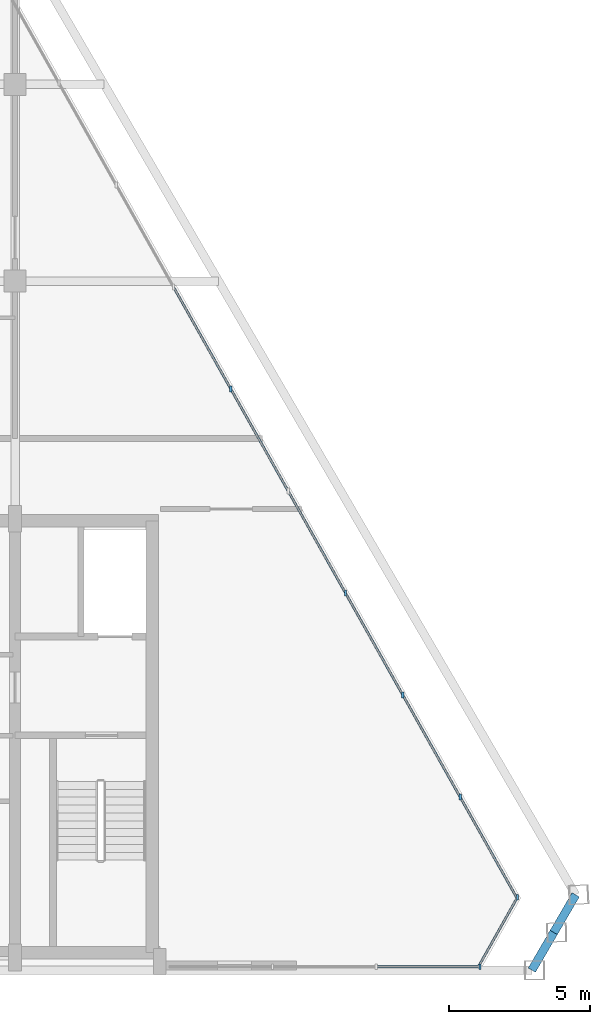
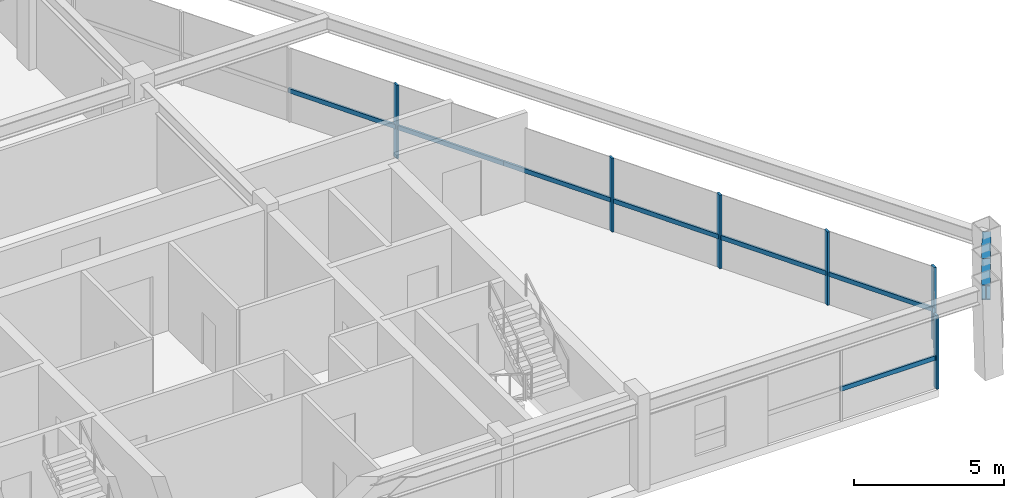
# One storey, part 6 of 12: 14 members, 2 beams, 3 elements without a shape of their own.
"""IFC4 building model written with IfcOpenShell, lengths in metres."""

from ifc_helpers import new_model, si_unit, direction, frame, origin, origin_2d, place, context, subcontext, project, spatial, rectangle, i_section, extrude, source, transform, mapped, material, material_profile, profile_set, type_object, type_shapes, element, aggregate, save


model = new_model("IFC4")

# Units and contexts
model_context = context("Model", 3, precision=1e-05, world=origin(), true_north=direction((0.0, 1.0)))
body_context = subcontext(model_context, "Body", "Model", "MODEL_VIEW")
ifc_project = project(units=[si_unit("LENGTHUNIT", "METRE"), si_unit("AREAUNIT", "SQUARE_METRE"), si_unit("VOLUMEUNIT", "CUBIC_METRE"), si_unit("PLANEANGLEUNIT", "RADIAN"), si_unit("MASSUNIT", "GRAM", prefix="KILO")], contexts=[model_context])

# Site, building, storey
site_placement = place(None, origin())
site = spatial("IfcSite", under=ifc_project, at=site_placement, CompositionType="ELEMENT")
building_placement = place(site_placement, origin())
building = spatial("IfcBuilding", under=site, at=building_placement, Name="Varnakhor Terracotta Tower", CompositionType="ELEMENT")
storey_placement = place(building_placement, frame((0.0, 0.0, 325.300048828125)))
storey = spatial("IfcBuildingStorey", under=building, at=storey_placement, Name="L85 Crown", CompositionType="ELEMENT", Elevation=325.300048828125)

# Beams
ifc_material_1 = material(Name="Steel S355", Category="steel")
ifc_material_profile_1 = material_profile(ifc_material_1, i_section(OverallWidth=0.300048828125, OverallDepth=0.60009765625, WebThickness=0.015380859375, FlangeThickness=0.030029296875, FilletRadius=0.01806640625, at=origin_2d()), Name="HEB600")
ifc_profile_set_1 = profile_set([ifc_material_profile_1], Name="Steel S355")
beam_type = type_object("IfcBeamType", Name="BM-HEB600", PredefinedType="BEAM", material=ifc_profile_set_1)
shared_shape_1 = source(origin(), body_context, "Body", "SweptSolid", [
    extrude(i_section(OverallWidth=0.300048828125, OverallDepth=0.60009765625, WebThickness=0.015380859375, FlangeThickness=0.030029296875, FilletRadius=0.01806640625, at=origin_2d()), origin(), (0.0, 0.0, 1.0), 1.5498046875),
])
for number, where, z_axis, x_axis, name in (
    (1, (23.87548828125, 0.0, 3.300048828125), (0.502842220965, 0.864378216301, 0.0), (-0.864378216301, 0.502842220965, 0.0), "L85 Crown Perimeter Spandrel 2"),
    (2, (24.65478515625, 1.339599609375, 3.300048828125), (0.502842220965, 0.864378216301, 0.0), (-0.864378216301, 0.502842220965, 0.0), "L85 Crown Perimeter Spandrel 3"),
):
    element("IfcBeam", number, at=place(storey_placement, frame(where, z_axis=z_axis, x_axis=x_axis)), inside=storey, type_object=beam_type, Name=name, PredefinedType="BEAM", context=body_context, shape_type="MappedRepresentation", body=[
        mapped(shared_shape_1, transform((0.0, 0.0, 0.0), scale=1.0)),
    ])

# Curtain wall, members
ifc_material_2 = material(Name="Anodised Aluminium Curtain Wall System", Category="aluminium")
curtain_wall_type = type_object("IfcCurtainWallType", Name="CW-SYS-CROWN", PredefinedType="NOTDEFINED", material=ifc_material_2)
curtain_wall_1_placement = place(storey_placement, origin())
curtain_wall_1 = element("IfcCurtainWall", 3, at=curtain_wall_1_placement, inside=storey, type_object=curtain_wall_type, Name="L85 Crown Facet Curtain Wall 3", PredefinedType="NOTDEFINED")
ifc_material_3 = material(Name="Anodised Aluminium 6063-T6", Category="aluminium")
ifc_material_profile_2 = material_profile(ifc_material_3, rectangle(XDim=0.080078125, YDim=0.205078125, at=origin_2d()), Name="ALU MULLION 80x205")
ifc_profile_set_2 = profile_set([ifc_material_profile_2], Name="Anodised Aluminium 6063-T6")
member_type_1 = type_object("IfcMemberType", Name="CWM-06", PredefinedType="MULLION", material=ifc_profile_set_2)
shared_shape_2 = source(origin(), body_context, "Body", "SweptSolid", [
    extrude(rectangle(XDim=0.080078125, YDim=0.205078125, at=origin_2d()), origin(), (0.0, 0.0, 1.0), 2.97998046875),
])
type_shapes(member_type_1, [shared_shape_2])
member_1_placement = place(storey_placement, frame((13.173828125, 20.66162109375, 0.0), z_axis=(0.0, 0.0, 1.0), x_axis=(1.0, 0.0, 0.0)))
member_1 = element("IfcMember", 4, at=member_1_placement, type_object=member_type_1, Name="L85 Crown Facet Curtain Wall 3 Mullion 7", PredefinedType="MULLION", context=body_context, shape_type="MappedRepresentation", body=[
    mapped(shared_shape_2, transform((0.0, 0.0, 0.0), scale=1.0)),
])
member_2_placement = place(storey_placement, frame((17.250244140625, 13.408203125, 0.0), z_axis=(0.0, 0.0, 1.0), x_axis=(1.0, 0.0, 0.0)))
member_2 = element("IfcMember", 5, at=member_2_placement, type_object=member_type_1, Name="L85 Crown Facet Curtain Wall 3 Mullion 9", PredefinedType="MULLION", context=body_context, shape_type="MappedRepresentation", body=[
    mapped(shared_shape_2, transform((0.0, 0.0, 0.0), scale=1.0)),
])
member_3_placement = place(storey_placement, frame((19.288330078125, 9.781494140625, 0.0), z_axis=(0.0, 0.0, 1.0), x_axis=(1.0, 0.0, 0.0)))
member_3 = element("IfcMember", 6, at=member_3_placement, type_object=member_type_1, Name="L85 Crown Facet Curtain Wall 3 Mullion 10", PredefinedType="MULLION", context=body_context, shape_type="MappedRepresentation", body=[
    mapped(shared_shape_2, transform((0.0, 0.0, 0.0), scale=1.0)),
])
member_4_placement = place(storey_placement, frame((21.32666015625, 6.155029296875, 0.0), z_axis=(0.0, 0.0, 1.0), x_axis=(1.0, 0.0, 0.0)))
member_4 = element("IfcMember", 7, at=member_4_placement, type_object=member_type_1, Name="L85 Crown Facet Curtain Wall 3 Mullion 11", PredefinedType="MULLION", context=body_context, shape_type="MappedRepresentation", body=[
    mapped(shared_shape_2, transform((0.0, 0.0, 0.0), scale=1.0)),
])

# Curtain wall, member
curtain_wall_2_placement = place(storey_placement, origin())
curtain_wall_2 = element("IfcCurtainWall", 8, at=curtain_wall_2_placement, inside=storey, type_object=curtain_wall_type, Name="L85 Crown Facet Curtain Wall 4", PredefinedType="NOTDEFINED")
member_5_placement = place(storey_placement, frame((23.364990234375, 2.593505859375, 0.0), z_axis=(0.0, 0.0, 1.0), x_axis=(1.0, 0.0, 0.0)))
member_5 = element("IfcMember", 9, at=member_5_placement, type_object=member_type_1, Name="L85 Crown Facet Curtain Wall 4 Mullion 1", PredefinedType="MULLION", context=body_context, shape_type="MappedRepresentation", body=[
    mapped(shared_shape_2, transform((0.0, 0.0, 0.0), scale=1.0)),
])

curtain_wall_3_placement = place(storey_placement, origin())
curtain_wall_3 = element("IfcCurtainWall", 10, at=curtain_wall_3_placement, inside=storey, type_object=curtain_wall_type, Name="L85 Crown South Wing Curtain Wall SSE", PredefinedType="NOTDEFINED")
member_6_placement = place(storey_placement, frame((22.034912109375, 0.1201171875, 0.0), z_axis=(0.0, 0.0, 1.0), x_axis=(1.0, 0.0, 0.0)))
member_6 = element("IfcMember", 11, at=member_6_placement, type_object=member_type_1, Name="L85 Crown South Wing Curtain Wall SSE Mullion 1", PredefinedType="MULLION", context=body_context, shape_type="MappedRepresentation", body=[
    mapped(shared_shape_2, transform((0.0, 0.0, 0.0), scale=1.0)),
])

# Member
ifc_material_profile_3 = material_profile(ifc_material_3, rectangle(XDim=0.080078125, YDim=0.179931640625, at=origin_2d()), Name="ALU TRANSOM 80x180")
ifc_profile_set_3 = profile_set([ifc_material_profile_3], Name="Anodised Aluminium 6063-T6")
member_type_2 = type_object("IfcMemberType", Name="CWT-06", PredefinedType="USERDEFINED", material=ifc_profile_set_3)
shared_shape_3 = source(origin(), body_context, "Body", "SweptSolid", [
    extrude(rectangle(XDim=0.080078125, YDim=0.179931640625, at=origin_2d()), origin(), (0.0, 0.0, 1.0), 4.16015625),
])
member_7_placement = place(storey_placement, frame((11.135498046875, 24.2880859375, 1.25146484375), z_axis=(0.489977008712, -0.871735356019, 0.0), x_axis=(0.871735356019, 0.489977008712, 0.0)))
member_7 = element("IfcMember", 12, at=member_7_placement, type_object=member_type_2, Name="L85 Crown Facet Curtain Wall 3 Transom 6", ObjectType="TRANSOM", PredefinedType="USERDEFINED", context=body_context, shape_type="MappedRepresentation", body=[
    mapped(shared_shape_3, transform((0.0, 0.0, 0.0), scale=1.0)),
])

member_8_placement = place(storey_placement, frame((13.173828125, 20.66162109375, 1.25146484375), z_axis=(0.489907344247, -0.871774508719, 0.0), x_axis=(0.871774508719, 0.489907344247, 0.0)))
member_8 = element("IfcMember", 13, at=member_8_placement, type_object=member_type_2, Name="L85 Crown Facet Curtain Wall 3 Transom 7", ObjectType="TRANSOM", PredefinedType="USERDEFINED", context=body_context, shape_type="MappedRepresentation", body=[
    mapped(shared_shape_3, transform((0.0, 0.0, 0.0), scale=1.0)),
])

member_9_placement = place(storey_placement, frame((15.2119140625, 17.034912109375, 1.25146484375), z_axis=(0.489951942835, -0.871749444343, 0.0), x_axis=(0.871749444343, 0.489951942835, 0.0)))
member_9 = element("IfcMember", 14, at=member_9_placement, type_object=member_type_2, Name="L85 Crown Facet Curtain Wall 3 Transom 8", ObjectType="TRANSOM", PredefinedType="USERDEFINED", context=body_context, shape_type="MappedRepresentation", body=[
    mapped(shared_shape_3, transform((0.0, 0.0, 0.0), scale=1.0)),
])

member_10_placement = place(storey_placement, frame((17.250244140625, 13.408203125, 1.25146484375), z_axis=(0.489907344247, -0.871774508719, 0.0), x_axis=(0.871774508719, 0.489907344247, 0.0)))
member_10 = element("IfcMember", 15, at=member_10_placement, type_object=member_type_2, Name="L85 Crown Facet Curtain Wall 3 Transom 9", ObjectType="TRANSOM", PredefinedType="USERDEFINED", context=body_context, shape_type="MappedRepresentation", body=[
    mapped(shared_shape_3, transform((0.0, 0.0, 0.0), scale=1.0)),
])

member_11_placement = place(storey_placement, frame((19.288330078125, 9.781494140625, 1.25146484375), z_axis=(0.489977008712, -0.871735356019, 0.0), x_axis=(0.871735356019, 0.489977008712, 0.0)))
member_11 = element("IfcMember", 16, at=member_11_placement, type_object=member_type_2, Name="L85 Crown Facet Curtain Wall 3 Transom 10", ObjectType="TRANSOM", PredefinedType="USERDEFINED", context=body_context, shape_type="MappedRepresentation", body=[
    mapped(shared_shape_3, transform((0.0, 0.0, 0.0), scale=1.0)),
])

member_12_placement = place(storey_placement, frame((21.32666015625, 6.155029296875, 1.25146484375), z_axis=(0.489951942835, -0.871749444343, 0.0), x_axis=(0.871749444343, 0.489951942835, 0.0)))
member_12 = element("IfcMember", 17, at=member_12_placement, type_object=member_type_2, Name="L85 Crown Facet Curtain Wall 3 Transom 11", ObjectType="TRANSOM", PredefinedType="USERDEFINED", context=body_context, shape_type="MappedRepresentation", body=[
    mapped(shared_shape_3, transform((0.0, 0.0, 0.0), scale=1.0)),
])

aggregate(curtain_wall_1, [member_7, member_1, member_8, member_9, member_2, member_10, member_3, member_11, member_4, member_12])

shared_shape_4 = source(origin(), body_context, "Body", "SweptSolid", [
    extrude(rectangle(XDim=0.080078125, YDim=0.179931640625, at=origin_2d()), origin(), (0.0, 0.0, 1.0), 2.877685546875),
])
member_13_placement = place(storey_placement, frame((23.364990234375, 2.593505859375, 1.25146484375), z_axis=(-0.489959104294, -0.871745419328, 0.0), x_axis=(0.871745419328, -0.489959104294, 0.0)))
member_13 = element("IfcMember", 18, at=member_13_placement, type_object=member_type_2, Name="L85 Crown Facet Curtain Wall 4 Transom 1", ObjectType="TRANSOM", PredefinedType="USERDEFINED", context=body_context, shape_type="MappedRepresentation", body=[
    mapped(shared_shape_4, transform((0.0, 0.0, 0.0), scale=1.0)),
])

aggregate(curtain_wall_2, [member_5, member_13])

shared_shape_5 = source(origin(), body_context, "Body", "SweptSolid", [
    extrude(rectangle(XDim=0.080078125, YDim=0.179931640625, at=origin_2d()), origin(), (0.0, 0.0, 1.0), 3.688232421875),
])
member_14_placement = place(storey_placement, frame((22.034912109375, 0.1201171875, 1.25146484375), z_axis=(-1.0, 0.0, 0.0), x_axis=(0.0, -1.0, 0.0)))
member_14 = element("IfcMember", 19, at=member_14_placement, type_object=member_type_2, Name="L85 Crown South Wing Curtain Wall SSE Transom 1", ObjectType="TRANSOM", PredefinedType="USERDEFINED", context=body_context, shape_type="MappedRepresentation", body=[
    mapped(shared_shape_5, transform((0.0, 0.0, 0.0), scale=1.0)),
])

aggregate(curtain_wall_3, [member_6, member_14])

save(model, "model.ifc")
